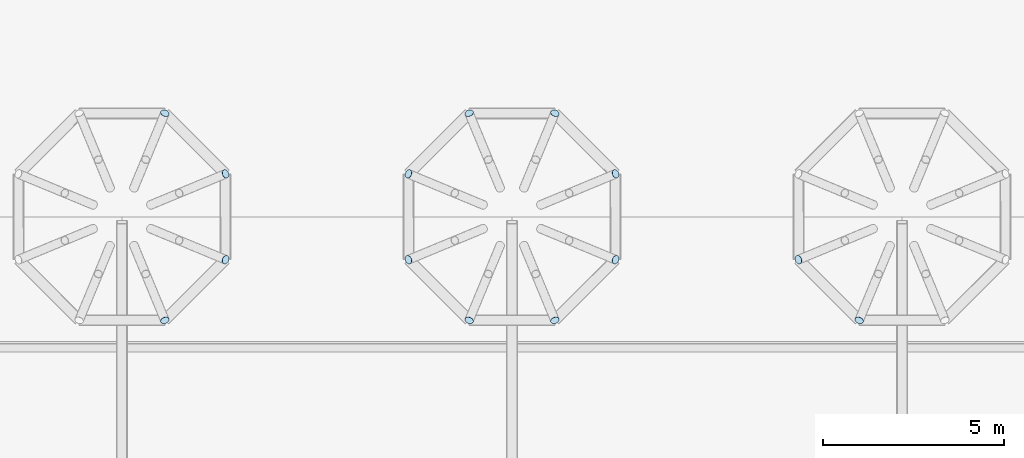
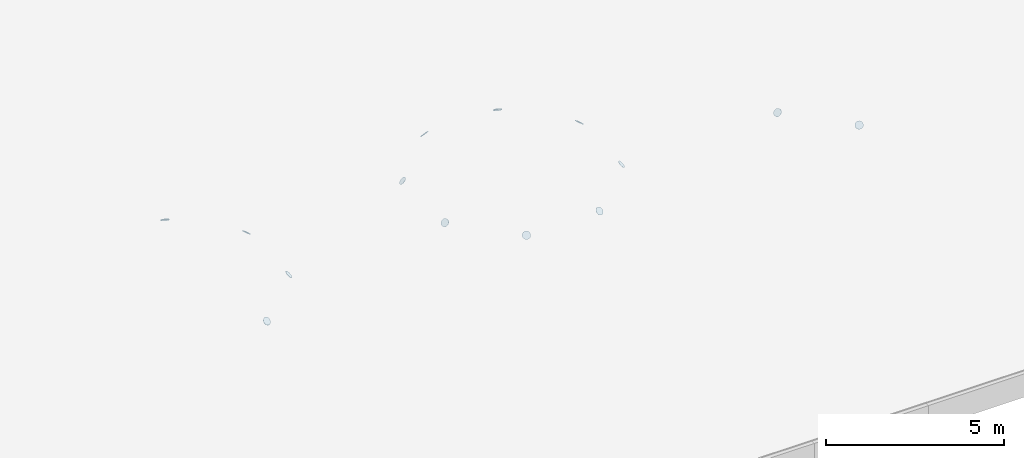
# One storey, part 39 of 56: 14 plates.
"""IFC4 building model written with IfcOpenShell, lengths in metres."""

from ifc_helpers import new_model, si_unit, direction, frame, origin, origin_2d, place, context, subcontext, project, spatial, circle, extrude, material, material_profile, profile_set, type_object, element, save


model = new_model("IFC4")

# Units and contexts
model_context = context("Model", 3, precision=1e-05, world=origin(), true_north=direction((0.0, 1.0)))
body_context = subcontext(model_context, "Body", "Model", "MODEL_VIEW")
ifc_project = project(units=[si_unit("LENGTHUNIT", "METRE"), si_unit("AREAUNIT", "SQUARE_METRE"), si_unit("VOLUMEUNIT", "CUBIC_METRE"), si_unit("PLANEANGLEUNIT", "RADIAN"), si_unit("MASSUNIT", "GRAM", prefix="KILO")], contexts=[model_context])

# Site, building, storey
site_placement = place(None, origin())
site = spatial("IfcSite", under=ifc_project, at=site_placement, CompositionType="ELEMENT")
building_placement = place(site_placement, origin())
building = spatial("IfcBuilding", under=site, at=building_placement, Name="Magnolia Steps Interchange", CompositionType="ELEMENT")
storey_placement = place(building_placement, frame((0.0, 0.0, 8.699951171875)))
storey = spatial("IfcBuildingStorey", under=building, at=storey_placement, Name="L02", CompositionType="ELEMENT", Elevation=8.699951171875)

# Plates
ifc_material = material(Name="Steel Q355B", Category="steel")
ifc_material_profile = material_profile(ifc_material, circle(Radius=0.12255859375, at=origin_2d()), Name="End plate CHS245x12")
ifc_profile_set = profile_set([ifc_material_profile], Name="Steel Q355B")
plate_type = type_object("IfcPlateType", Name="End plate CHS245x12", PredefinedType="SHEET", material=ifc_profile_set)
for number, where, z_axis, x_axis, name in (
    (1, (77.6640625, 54.38623046875, 3.2744140625), (0.664583318381, 0.275279424158, 0.694658370398), (-0.382683432789, 0.923879532336, 0.0), "End plate Tree rib"),
    (2, (75.986328125, 56.06396484375, 3.2744140625), (0.275279424158, 0.664583318381, 0.694658370398), (-0.923879532336, 0.382683432789, 0.0), "End plate Tree rib"),
    (3, (75.986328125, 50.3359375, 3.2744140625), (0.275279424158, -0.664583318381, 0.694658370398), (0.923879532336, 0.382683432789, 0.0), "End plate Tree rib"),
    (4, (77.6640625, 52.013671875, 3.2744140625), (0.664583318381, -0.275279424158, 0.694658370398), (0.382683432789, 0.923879532336, 0.0), "End plate Tree rib"),
    (5, (88.464111328125, 54.38623046875, 3.2744140625), (0.664583318381, 0.275279424158, 0.694658370398), (-0.382683432789, 0.923879532336, 0.0), "End plate Tree rib"),
    (6, (86.786376953125, 56.06396484375, 3.2744140625), (0.275279424158, 0.664583318381, 0.694658370398), (-0.923879532336, 0.382683432789, 0.0), "End plate Tree rib"),
    (7, (84.413818359375, 56.06396484375, 3.2744140625), (-0.275279424158, 0.664583318381, 0.694658370398), (-0.923879532336, -0.382683432789, 0.0), "End plate Tree rib"),
    (8, (82.736083984375, 54.38623046875, 3.2744140625), (-0.664583318381, 0.275279424158, 0.694658370398), (-0.382683432789, -0.923879532336, 0.0), "End plate Tree rib"),
    (9, (82.736083984375, 52.013671875, 3.2744140625), (-0.664583318381, -0.275279424158, 0.694658370398), (0.382683432789, -0.923879532336, 0.0), "End plate Tree rib"),
    (10, (84.413818359375, 50.3359375, 3.2744140625), (-0.275279424158, -0.664583318381, 0.694658370398), (0.923879532336, -0.382683432789, 0.0), "End plate Tree rib"),
    (11, (86.786376953125, 50.3359375, 3.2744140625), (0.275279424158, -0.664583318381, 0.694658370398), (0.923879532336, 0.382683432789, 0.0), "End plate Tree rib"),
    (12, (88.464111328125, 52.013671875, 3.2744140625), (0.664583318381, -0.275279424158, 0.694658370398), (0.382683432789, 0.923879532336, 0.0), "End plate Tree rib"),
    (13, (93.535888671875, 52.013671875, 3.2744140625), (-0.664583318381, -0.275279424158, 0.694658370398), (0.382683432789, -0.923879532336, 0.0), "End plate Tree rib"),
    (14, (95.213623046875, 50.3359375, 3.2744140625), (-0.275279424158, -0.664583318381, 0.694658370398), (0.923879532336, -0.382683432789, 0.0), "End plate Tree rib"),
):
    element("IfcPlate", number, at=place(storey_placement, frame(where, z_axis=z_axis, x_axis=x_axis)), inside=storey, type_object=plate_type, Name=name, PredefinedType="SHEET", context=body_context, shape_type="SweptSolid", body=[
        extrude(circle(Radius=0.12255859375, at=origin_2d()), origin(), (0.0, 0.0, 1.0), 0.008056640625),
    ])

save(model, "model.ifc")
